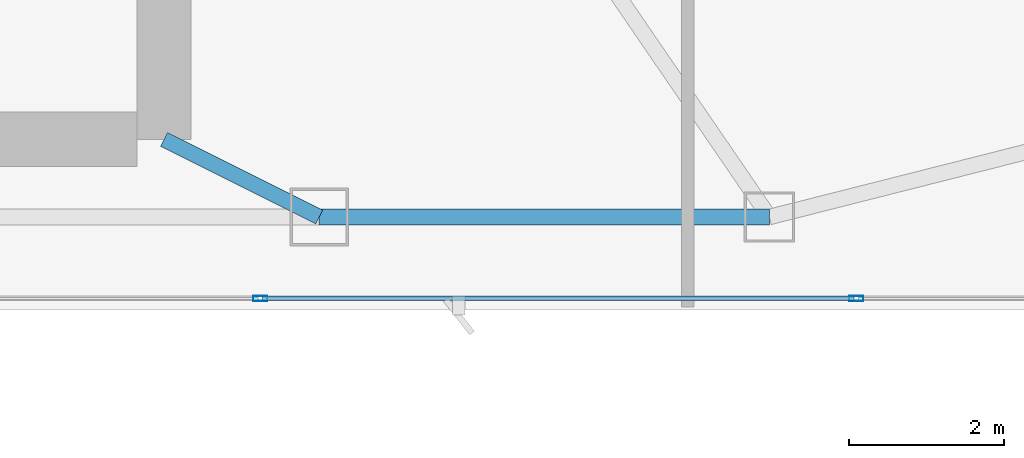
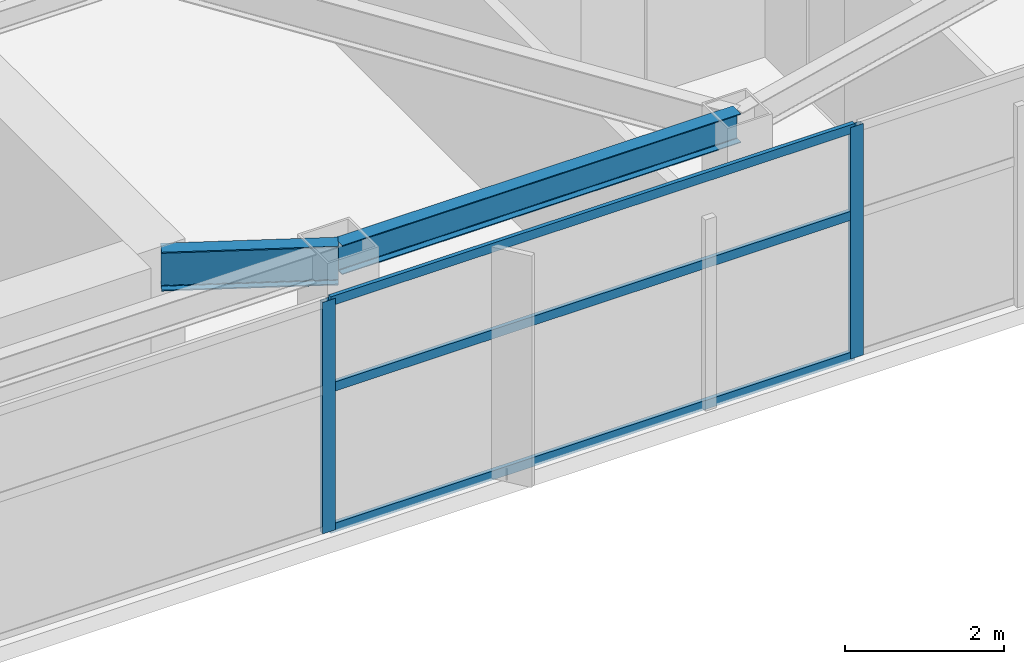
# One storey, part 13 of 30: 5 members, 2 beams, 1 element without a shape of its own.
"""IFC4 building model written with IfcOpenShell, lengths in metres."""

from ifc_helpers import new_model, si_unit, direction, frame, origin, origin_2d, place, context, subcontext, project, spatial, hollow_rectangle, i_section, extrude, material, layer, layer_set, material_profile, profile_set, type_object, element, aggregate, save


model = new_model("IFC4")

# Units and contexts
model_context = context("Model", 3, precision=1e-05, world=origin(), true_north=direction((0.0, 1.0)))
body_context = subcontext(model_context, "Body", "Model", "MODEL_VIEW")
ifc_project = project(units=[si_unit("LENGTHUNIT", "METRE"), si_unit("AREAUNIT", "SQUARE_METRE"), si_unit("VOLUMEUNIT", "CUBIC_METRE"), si_unit("PLANEANGLEUNIT", "RADIAN"), si_unit("MASSUNIT", "GRAM", prefix="KILO")], contexts=[model_context])

# Site, building, storey
site_placement = place(None, origin())
site = spatial("IfcSite", under=ifc_project, at=site_placement, CompositionType="ELEMENT")
building_placement = place(site_placement, origin())
building = spatial("IfcBuilding", under=site, at=building_placement, Name="Calvorn Quay Hotel", CompositionType="ELEMENT")
storey_placement = place(building_placement, frame((0.0, 0.0, 207.199951171875)))
storey = spatial("IfcBuildingStorey", under=building, at=storey_placement, Name="L51", CompositionType="ELEMENT", Elevation=207.199951171875)

# Beams
ifc_material_1 = material(Name="Steel Q355B", Category="steel")
ifc_material_profile_1 = material_profile(ifc_material_1, i_section(OverallWidth=0.199951171875, OverallDepth=0.60009765625, WebThickness=0.010986328125, FlangeThickness=0.01708984375, FilletRadius=0.01806640625, at=origin_2d()), Name="HN600x200x11x17")
ifc_profile_set_1 = profile_set([ifc_material_profile_1], Name="Steel Q355B")
beam_type_1 = type_object("IfcBeamType", Name="BM-GIRD-TYP", PredefinedType="BEAM", material=ifc_profile_set_1)
beam_1_placement = place(storey_placement, frame((34.39990234375, 3.60009765625, 3.239990234375), z_axis=(-0.894427191, 0.4472135955, 0.0), x_axis=(-0.4472135955, -0.894427191, 0.0)))
element("IfcBeam", 1, at=beam_1_placement, inside=storey, type_object=beam_type_1, Name="Beam BG-L51-S3", PredefinedType="BEAM", context=body_context, shape_type="SweptSolid", body=[
    extrude(i_section(OverallWidth=0.199951171875, OverallDepth=0.60009765625, WebThickness=0.010986328125, FlangeThickness=0.01708984375, FilletRadius=0.01806640625, at=origin_2d()), origin(), (0.0, 0.0, 1.0), 2.236083984375),
])
ifc_material_2 = material(Name="Steel Q355B", Category="steel")
ifc_material_profile_2 = material_profile(ifc_material_2, i_section(OverallWidth=0.199951171875, OverallDepth=0.449951171875, WebThickness=0.009033203125, FlangeThickness=0.013916015625, FilletRadius=0.01611328125, at=origin_2d()), Name="HN450x200x9x14")
ifc_profile_set_2 = profile_set([ifc_material_profile_2], Name="Steel Q355B")
beam_type_2 = type_object("IfcBeamType", Name="BM-SPANDREL-Z3", PredefinedType="SPANDREL", material=ifc_profile_set_2)
beam_2_placement = place(storey_placement, frame((34.39990234375, 3.60009765625, 3.31494140625), z_axis=(1.0, 0.0, 0.0), x_axis=(0.0, 1.0, 0.0)))
element("IfcBeam", 2, at=beam_2_placement, inside=storey, type_object=beam_type_2, Name="Beam BSP-L51-S4", PredefinedType="SPANDREL", context=body_context, shape_type="SweptSolid", body=[
    extrude(i_section(OverallWidth=0.199951171875, OverallDepth=0.449951171875, WebThickness=0.009033203125, FlangeThickness=0.013916015625, FilletRadius=0.01611328125, at=origin_2d()), origin(), (0.0, 0.0, 1.0), 5.800048828125),
])

# Curtain wall, members
ifc_material_3 = material(Name="Champagne Bronze Anodised Aluminium and Low-E Glass", Category="aluminium")
ifc_layer = layer(ifc_material_3, 0.219970703125)
ifc_layer_set = layer_set([ifc_layer], Name="CW-SYS-Z3")
curtain_wall_type = type_object("IfcCurtainWallType", Name="CW-SYS-Z3", PredefinedType="NOTDEFINED", material=ifc_layer_set)
curtain_wall_placement = place(storey_placement, origin())
curtain_wall = element("IfcCurtainWall", 3, at=curtain_wall_placement, inside=storey, type_object=curtain_wall_type, Name="Tower South Waterfront Curtain Wall (L51)", PredefinedType="NOTDEFINED")
ifc_material_4 = material(Name="Champagne Bronze Anodised Aluminium 6063-T6", Category="aluminium")
ifc_material_profile_3 = material_profile(ifc_material_4, hollow_rectangle(XDim=0.068115234375, YDim=0.18505859375, WallThickness=0.00390625, at=origin_2d()), Name="ALU-M185x68x4")
ifc_profile_set_3 = profile_set([ifc_material_profile_3], Name="Champagne Bronze Anodised Aluminium 6063-T6")
member_type_1 = type_object("IfcMemberType", Name="CW-SYS-Z3-MUL", PredefinedType="MULLION", material=ifc_profile_set_3)
member_1_placement = place(storey_placement, frame((33.639892578125, 2.550048828125, 0.0), z_axis=(0.0, 0.0, 1.0), x_axis=(0.0, 1.0, 0.0)))
member_1 = element("IfcMember", 4, at=member_1_placement, type_object=member_type_1, Name="CW-L51-S mullion 4", PredefinedType="MULLION", context=body_context, shape_type="SweptSolid", body=[
    extrude(hollow_rectangle(XDim=0.068115234375, YDim=0.18505859375, WallThickness=0.00390625, at=origin_2d()), origin(), (0.0, 0.0, 1.0), 3.56005859375),
])
member_2_placement = place(storey_placement, frame((41.320068359375, 2.550048828125, 0.0), z_axis=(0.0, 0.0, 1.0), x_axis=(0.0, 1.0, 0.0)))
member_2 = element("IfcMember", 5, at=member_2_placement, type_object=member_type_1, Name="CW-L51-S mullion 5", PredefinedType="MULLION", context=body_context, shape_type="SweptSolid", body=[
    extrude(hollow_rectangle(XDim=0.068115234375, YDim=0.18505859375, WallThickness=0.00390625, at=origin_2d()), origin(), (0.0, 0.0, 1.0), 3.56005859375),
])
ifc_material_5 = material(Name="Champagne Bronze Anodised Aluminium 6063-T6", Category="aluminium")
ifc_material_profile_4 = material_profile(ifc_material_5, hollow_rectangle(XDim=0.05810546875, YDim=0.139892578125, WallThickness=0.003173828125, at=origin_2d()), Name="ALU-T140x58x3.2")
ifc_profile_set_4 = profile_set([ifc_material_profile_4], Name="Champagne Bronze Anodised Aluminium 6063-T6")
member_type_2 = type_object("IfcMemberType", Name="CW-SYS-Z3-TRN", PredefinedType="USERDEFINED", material=ifc_profile_set_4)
member_3_placement = place(storey_placement, frame((33.669921875, 2.550048828125, 0.030029296875), z_axis=(1.0, 0.0, 0.0), x_axis=(0.0, 1.0, 0.0)))
member_3 = element("IfcMember", 6, at=member_3_placement, type_object=member_type_2, Name="CW-L51-S transom 4.1", ObjectType="TRANSOM", PredefinedType="USERDEFINED", context=body_context, shape_type="SweptSolid", body=[
    extrude(hollow_rectangle(XDim=0.05810546875, YDim=0.139892578125, WallThickness=0.003173828125, at=origin_2d()), origin(), (0.0, 0.0, 1.0), 7.6201171875),
])
member_4_placement = place(storey_placement, frame((33.669921875, 2.550048828125, 2.199951171875), z_axis=(1.0, 0.0, 0.0), x_axis=(0.0, 1.0, 0.0)))
member_4 = element("IfcMember", 7, at=member_4_placement, type_object=member_type_2, Name="CW-L51-S transom 4.2", ObjectType="TRANSOM", PredefinedType="USERDEFINED", context=body_context, shape_type="SweptSolid", body=[
    extrude(hollow_rectangle(XDim=0.05810546875, YDim=0.139892578125, WallThickness=0.003173828125, at=origin_2d()), origin(), (0.0, 0.0, 1.0), 7.6201171875),
])
member_5_placement = place(storey_placement, frame((33.669921875, 2.550048828125, 3.530029296875), z_axis=(1.0, 0.0, 0.0), x_axis=(0.0, 1.0, 0.0)))
member_5 = element("IfcMember", 8, at=member_5_placement, type_object=member_type_2, Name="CW-L51-S transom 4.3", ObjectType="TRANSOM", PredefinedType="USERDEFINED", context=body_context, shape_type="SweptSolid", body=[
    extrude(hollow_rectangle(XDim=0.05810546875, YDim=0.139892578125, WallThickness=0.003173828125, at=origin_2d()), origin(), (0.0, 0.0, 1.0), 7.6201171875),
])
aggregate(curtain_wall, [member_1, member_2, member_3, member_4, member_5])

save(model, "model.ifc")
